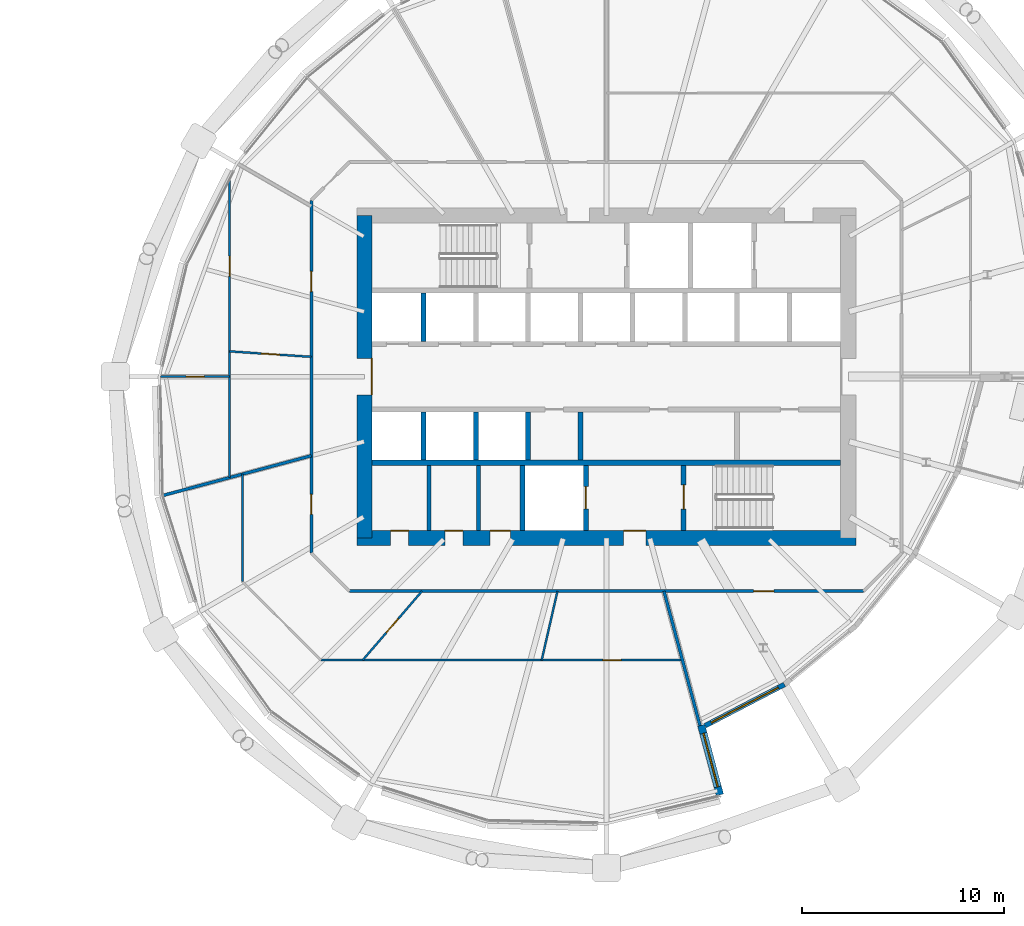
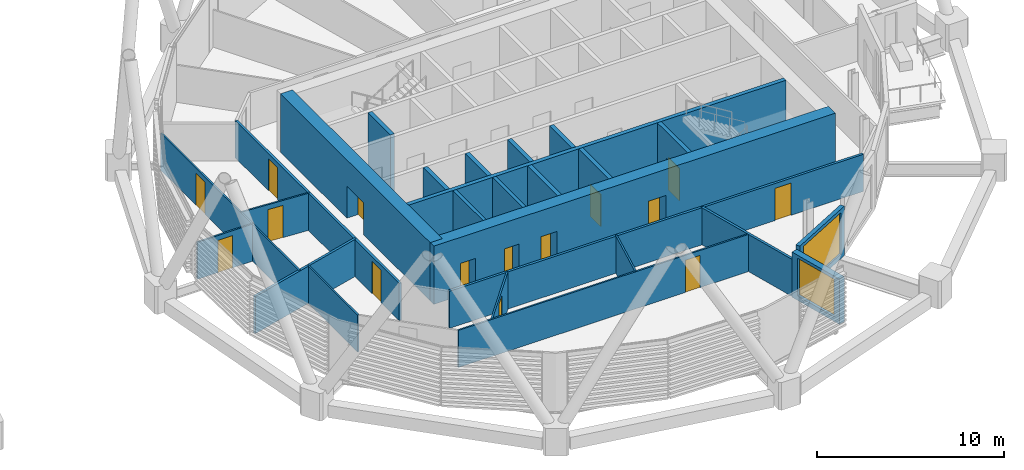
# One storey, part 26 of 38: 27 walls, 15 doors, 2 windows, 17 openings.
"""IFC4 building model written with IfcOpenShell, lengths in metres."""

from ifc_helpers import new_model, si_unit, direction, frame, frame_2d, origin, place, context, subcontext, project, spatial, rectangle, extrude, material, layer, layer_set, type_object, element, fill, save


model = new_model("IFC4")

# Units and contexts
model_context = context("Model", 3, precision=1e-05, world=origin(), true_north=direction((0.0, 1.0)))
body_context = subcontext(model_context, "Body", "Model", "MODEL_VIEW")
ifc_project = project(units=[si_unit("LENGTHUNIT", "METRE"), si_unit("AREAUNIT", "SQUARE_METRE"), si_unit("VOLUMEUNIT", "CUBIC_METRE"), si_unit("PLANEANGLEUNIT", "RADIAN"), si_unit("MASSUNIT", "GRAM", prefix="KILO")], contexts=[model_context])

# Site, building, storey
site_placement = place(None, origin())
site = spatial("IfcSite", under=ifc_project, at=site_placement, CompositionType="ELEMENT")
building_placement = place(site_placement, origin())
building = spatial("IfcBuilding", under=site, at=building_placement, Name="Rimbun Link Towers", CompositionType="ELEMENT")
storey_placement = place(building_placement, frame((0.0, 0.0, 93.0)))
storey = spatial("IfcBuildingStorey", under=building, at=storey_placement, Name="L22", CompositionType="ELEMENT", Elevation=93.0)

# Wall, opening, window
ifc_material_1 = material(Name="Dark enamelled glass spandrel on insulated aluminium backpan", Category="aluminium")
ifc_layer_1 = layer(ifc_material_1, 0.25)
ifc_layer_set_1 = layer_set([ifc_layer_1], Name="CS dark enamelled spandrel wall 250")
wall_type_1 = type_object("IfcWallType", Name="CS dark enamelled spandrel wall 250", PredefinedType="STANDARD", material=ifc_layer_set_1)
wall_1_placement = place(storey_placement, frame((40.57958984375, -15.278564453125, 0.0), z_axis=(0.0, 0.0, 1.0), x_axis=(-0.886942309025, -0.461880223069, 0.0)))
wall_1 = element("IfcWall", 1, at=wall_1_placement, inside=storey, type_object=wall_type_1, Name="Crease spandrel wall", PredefinedType="STANDARD", context=body_context, shape_type="SweptSolid", body=[
    extrude(rectangle(XDim=4.429443359375, YDim=0.25, at=frame_2d((2.21484375, 0.0))), origin(), (0.0, 0.0, 1.0), 3.2236328125),
])
opening_1_placement = place(wall_1_placement, frame((0.33984375, 0.0, 0.300048828125)))
opening_1 = element("IfcOpeningElement", 2, at=opening_1_placement, cuts=wall_1, Name="Opening WR38H270", PredefinedType="OPENING", context=body_context, shape_type="SweptSolid", body=[
    extrude(rectangle(XDim=3.75, YDim=2.699951171875, at=frame_2d((1.875, 1.35009765625))), frame((0.0, 0.135009765625, 0.0), z_axis=(0.0, -1.0, 0.0), x_axis=(1.0, 0.0, 0.0)), (0.0, 0.0, 1.0), 0.27001953125),
])
ifc_material_2 = material(Name="Aluminium framed fixed window, dark tinted low-e glass", Category="aluminium")
window_type_1 = type_object("IfcWindowType", Name="WR ribbon window 3750X2700", PartitioningType="SINGLE_PANEL", PredefinedType="WINDOW", material=ifc_material_2)
window_1_placement = place(opening_1_placement, origin())
window_1 = element("IfcWindow", 3, at=window_1_placement, inside=storey, type_object=window_type_1, Name="Crease ribbon window", OverallHeight=2.699951171875, OverallWidth=3.75, PartitioningType="SINGLE_PANEL", PredefinedType="WINDOW", context=body_context, shape_type="SweptSolid", body=[
    extrude(rectangle(XDim=3.75, YDim=2.699951171875, at=frame_2d((1.875, 1.35009765625))), frame((0.0, 0.030029296875, 0.0), z_axis=(0.0, -1.0, 0.0), x_axis=(1.0, 0.0, 0.0)), (0.0, 0.0, 1.0), 0.06005859375),
])
fill(opening_1, window_1)

ifc_material_3 = material(Name="Dark enamelled glass spandrel on insulated aluminium backpan", Category="aluminium")
ifc_layer_2 = layer(ifc_material_3, 0.3701171875)
ifc_layer_set_2 = layer_set([ifc_layer_2], Name="CS dark enamelled spandrel wall 370")
wall_type_2 = type_object("IfcWallType", Name="CS dark enamelled spandrel wall 370", PredefinedType="STANDARD", material=ifc_layer_set_2)
wall_2_placement = place(storey_placement, frame((36.453369140625, -17.30224609375, 0.0), z_axis=(0.0, 0.0, 1.0), x_axis=(0.258867887085, -0.965912737796, 0.0)))
wall_2 = element("IfcWall", 4, at=wall_2_placement, inside=storey, type_object=wall_type_2, Name="Crease spandrel wall", PredefinedType="STANDARD", context=body_context, shape_type="SweptSolid", body=[
    extrude(rectangle(XDim=3.580078125, YDim=0.3701171875, at=frame_2d((1.7900390625, 0.0))), origin(), (0.0, 0.0, 1.0), 2.9462890625),
])
opening_2_placement = place(wall_2_placement, frame((0.4150390625, 0.0, 0.300048828125)))
opening_2 = element("IfcOpeningElement", 5, at=opening_2_placement, cuts=wall_2, Name="Opening WR28H245", PredefinedType="OPENING", context=body_context, shape_type="SweptSolid", body=[
    extrude(rectangle(XDim=2.75, YDim=2.449951171875, at=frame_2d((1.375, 1.22509765625))), frame((0.0, 0.195068359375, 0.0), z_axis=(0.0, -1.0, 0.0), x_axis=(1.0, 0.0, 0.0)), (0.0, 0.0, 1.0), 0.39013671875),
])
ifc_material_4 = material(Name="Aluminium framed fixed window, dark tinted low-e glass", Category="aluminium")
window_type_2 = type_object("IfcWindowType", Name="WR ribbon window 2750X2450", PartitioningType="SINGLE_PANEL", PredefinedType="WINDOW", material=ifc_material_4)
window_2_placement = place(opening_2_placement, origin())
window_2 = element("IfcWindow", 6, at=window_2_placement, inside=storey, type_object=window_type_2, Name="Crease ribbon window", OverallHeight=2.449951171875, OverallWidth=2.75, PartitioningType="SINGLE_PANEL", PredefinedType="WINDOW", context=body_context, shape_type="SweptSolid", body=[
    extrude(rectangle(XDim=2.75, YDim=2.449951171875, at=frame_2d((1.375, 1.22509765625))), frame((0.0, 0.030029296875, 0.0), z_axis=(0.0, -1.0, 0.0), x_axis=(1.0, 0.0, 0.0)), (0.0, 0.0, 1.0), 0.06005859375),
])
fill(opening_2, window_2)

# Walls
ifc_material_5 = material(Name="Masonry blockwork", Category="masonry")
ifc_layer_3 = layer(ifc_material_5, 0.199951171875)
ifc_layer_set_3 = layer_set([ifc_layer_3], Name="Core partition 200")
wall_type_3 = type_object("IfcWallType", Name="Core partition 200", PredefinedType="PARTITIONING", material=ifc_layer_set_3)
for number, where, z_axis, x_axis, name in (
    (7, (22.949951171875, -4.39990234375, 0.0), (0.0, 0.0, 1.0), (0.0, -1.0, 0.0), "L22 T2 core wall C1"),
    (8, (25.39990234375, -4.39990234375, 0.0), (0.0, 0.0, 1.0), (0.0, -1.0, 0.0), "L22 T2 core wall C2"),
):
    element("IfcWall", number, at=place(storey_placement, frame(where, z_axis=z_axis, x_axis=x_axis)), inside=storey, type_object=wall_type_3, Name=name, PredefinedType="PARTITIONING", context=body_context, shape_type="SweptSolid", body=[
        extrude(rectangle(XDim=3.22509765625, YDim=0.199951171875, at=frame_2d((1.612548828125, 0.0))), origin(), (0.0, 0.0, 1.0), 3.800048828125),
    ])

# Wall, openings, doors
ifc_material_6 = material(Name="Concrete C60/75", Category="concrete")
ifc_layer_4 = layer(ifc_material_6, 0.75)
ifc_layer_set_4 = layer_set([ifc_layer_4], Name="Core shear wall 750")
wall_type_4 = type_object("IfcWallType", Name="Core shear wall 750", PredefinedType="SHEAR", material=ifc_layer_set_4)
wall_3_placement = place(storey_placement, frame((19.375, -8.0, 0.0), z_axis=(0.0, 0.0, 1.0), x_axis=(1.0, 0.0, 0.0)))
wall_3 = element("IfcWall", 9, at=wall_3_placement, inside=storey, type_object=wall_type_4, Name="L22 T2 core wall S", PredefinedType="SHEAR", context=body_context, shape_type="SweptSolid", body=[
    extrude(rectangle(XDim=24.75, YDim=0.75, at=frame_2d((12.375, 0.0))), origin(), (0.0, 0.0, 1.0), 3.800048828125),
])
opening_3_placement = place(wall_3_placement, frame((13.22509765625, 0.0, 0.0)))
opening_3 = element("IfcOpeningElement", 10, at=opening_3_placement, cuts=wall_3, Name="Opening C2DCF01S", PredefinedType="OPENING", context=body_context, shape_type="SweptSolid", body=[
    extrude(rectangle(XDim=1.10009765625, YDim=2.10009765625, at=frame_2d((0.550048828125, 1.050048828125))), frame((0.0, 0.385009765625, 0.0), z_axis=(0.0, -1.0, 0.0), x_axis=(1.0, 0.0, 0.0)), (0.0, 0.0, 1.0), 0.77001953125),
])
opening_4_placement = place(wall_3_placement, frame((1.66259765625, 0.0, 0.0)))
opening_4 = element("IfcOpeningElement", 11, at=opening_4_placement, cuts=wall_3, Name="Opening C2DWC02S", PredefinedType="OPENING", context=body_context, shape_type="SweptSolid", body=[
    extrude(rectangle(XDim=0.89990234375, YDim=2.10009765625, at=frame_2d((0.449951171875, 1.050048828125))), frame((0.0, 0.385009765625, 0.0), z_axis=(0.0, -1.0, 0.0), x_axis=(1.0, 0.0, 0.0)), (0.0, 0.0, 1.0), 0.77001953125),
])
opening_5_placement = place(wall_3_placement, frame((4.35009765625, 0.0, 0.0)))
opening_5 = element("IfcOpeningElement", 12, at=opening_5_placement, cuts=wall_3, Name="Opening C2DWC03S", PredefinedType="OPENING", context=body_context, shape_type="SweptSolid", body=[
    extrude(rectangle(XDim=0.89990234375, YDim=2.10009765625, at=frame_2d((0.449951171875, 1.050048828125))), frame((0.0, 0.385009765625, 0.0), z_axis=(0.0, -1.0, 0.0), x_axis=(1.0, 0.0, 0.0)), (0.0, 0.0, 1.0), 0.77001953125),
])
opening_6_placement = place(wall_3_placement, frame((6.60009765625, 0.0, 0.0)))
opening_6 = element("IfcOpeningElement", 13, at=opening_6_placement, cuts=wall_3, Name="Opening C2DAW04S", PredefinedType="OPENING", context=body_context, shape_type="SweptSolid", body=[
    extrude(rectangle(XDim=1.0, YDim=2.10009765625, at=frame_2d((0.5, 1.050048828125))), frame((0.0, 0.385009765625, 0.0), z_axis=(0.0, -1.0, 0.0), x_axis=(1.0, 0.0, 0.0)), (0.0, 0.0, 1.0), 0.77001953125),
])
ifc_material_7 = material(Name="Timber", Category="wood")
door_type_1 = type_object("IfcDoorType", Name="Accessible WC door", OperationType="SINGLE_SWING_LEFT", PredefinedType="DOOR", material=ifc_material_7)
door_1_placement = place(opening_6_placement, origin())
door_1 = element("IfcDoor", 14, at=door_1_placement, inside=storey, type_object=door_type_1, Name="L22 T2 accessible wc door", OperationType="SINGLE_SWING_RIGHT", OverallHeight=2.10009765625, OverallWidth=1.0, PredefinedType="DOOR", context=body_context, shape_type="SweptSolid", body=[
    extrude(rectangle(XDim=1.0, YDim=2.10009765625, at=frame_2d((0.5, 1.050048828125))), frame((0.0, 0.375, 0.0), z_axis=(0.0, -1.0, 0.0), x_axis=(1.0, 0.0, 0.0)), (0.0, 0.0, 1.0), 0.050048828125),
])
fill(opening_6, door_1)
ifc_material_8 = material(Name="Steel fire door set", Category="steel")
door_type_2 = type_object("IfcDoorType", Name="Core fire door single", OperationType="SINGLE_SWING_LEFT", PredefinedType="DOOR", material=ifc_material_8)
door_2_placement = place(opening_3_placement, origin())
door_2 = element("IfcDoor", 15, at=door_2_placement, inside=storey, type_object=door_type_2, Name="L22 T2 firefighting lobby s door", OperationType="SINGLE_SWING_RIGHT", OverallHeight=2.10009765625, OverallWidth=1.10009765625, PredefinedType="DOOR", context=body_context, shape_type="SweptSolid", body=[
    extrude(rectangle(XDim=1.10009765625, YDim=2.10009765625, at=frame_2d((0.550048828125, 1.050048828125))), frame((0.0, 0.375, 0.0), z_axis=(0.0, -1.0, 0.0), x_axis=(1.0, 0.0, 0.0)), (0.0, 0.0, 1.0), 0.050048828125),
])
fill(opening_3, door_2)
ifc_material_9 = material(Name="Timber", Category="wood")
door_type_3 = type_object("IfcDoorType", Name="WC door", OperationType="SINGLE_SWING_LEFT", PredefinedType="DOOR", material=ifc_material_9)
door_3_placement = place(opening_4_placement, origin())
door_3 = element("IfcDoor", 16, at=door_3_placement, inside=storey, type_object=door_type_3, Name="L22 T2 male wc door", OperationType="SINGLE_SWING_LEFT", OverallHeight=2.10009765625, OverallWidth=0.89990234375, PredefinedType="DOOR", context=body_context, shape_type="SweptSolid", body=[
    extrude(rectangle(XDim=0.89990234375, YDim=2.10009765625, at=frame_2d((0.449951171875, 1.050048828125))), frame((0.0, 0.375, 0.0), z_axis=(0.0, -1.0, 0.0), x_axis=(1.0, 0.0, 0.0)), (0.0, 0.0, 1.0), 0.050048828125),
])
fill(opening_4, door_3)
door_4_placement = place(opening_5_placement, origin())
door_4 = element("IfcDoor", 17, at=door_4_placement, inside=storey, type_object=door_type_3, Name="L22 T2 female wc door", OperationType="SINGLE_SWING_RIGHT", OverallHeight=2.10009765625, OverallWidth=0.89990234375, PredefinedType="DOOR", context=body_context, shape_type="SweptSolid", body=[
    extrude(rectangle(XDim=0.89990234375, YDim=2.10009765625, at=frame_2d((0.449951171875, 1.050048828125))), frame((0.0, 0.375, 0.0), z_axis=(0.0, -1.0, 0.0), x_axis=(1.0, 0.0, 0.0)), (0.0, 0.0, 1.0), 0.050048828125),
])
fill(opening_5, door_4)

# Wall, opening, door
wall_4_placement = place(storey_placement, frame((19.75, -8.0, 0.0), z_axis=(0.0, 0.0, 1.0), x_axis=(0.0, 1.0, 0.0)))
wall_4 = element("IfcWall", 18, at=wall_4_placement, inside=storey, type_object=wall_type_4, Name="L22 T2 core wall W", PredefinedType="SHEAR", context=body_context, shape_type="SweptSolid", body=[
    extrude(rectangle(XDim=16.0, YDim=0.75, at=frame_2d((8.0, 0.0))), origin(), (0.0, 0.0, 1.0), 3.800048828125),
])
opening_7_placement = place(wall_4_placement, frame((7.10009765625, 0.0, 0.0)))
opening_7 = element("IfcOpeningElement", 19, at=opening_7_placement, cuts=wall_4, Name="Opening C2DCL01W", PredefinedType="OPENING", context=body_context, shape_type="SweptSolid", body=[
    extrude(rectangle(XDim=1.800048828125, YDim=2.10009765625, at=frame_2d((0.89990234375, 1.050048828125))), frame((0.0, 0.385009765625, 0.0), z_axis=(0.0, -1.0, 0.0), x_axis=(1.0, 0.0, 0.0)), (0.0, 0.0, 1.0), 0.77001953125),
])
ifc_material_10 = material(Name="Steel fire door set", Category="steel")
door_type_4 = type_object("IfcDoorType", Name="Core lobby door double", OperationType="DOUBLE_DOOR_SINGLE_SWING", PredefinedType="DOOR", material=ifc_material_10)
door_5_placement = place(opening_7_placement, origin())
door_5 = element("IfcDoor", 20, at=door_5_placement, inside=storey, type_object=door_type_4, Name="L22 T2 lift lobby door", OperationType="DOUBLE_DOOR_SINGLE_SWING", OverallHeight=2.10009765625, OverallWidth=1.800048828125, PredefinedType="DOOR", context=body_context, shape_type="SweptSolid", body=[
    extrude(rectangle(XDim=1.800048828125, YDim=2.10009765625, at=frame_2d((0.89990234375, 1.050048828125))), frame((0.0, -0.3251953125, 0.0), z_axis=(0.0, -1.0, 0.0), x_axis=(1.0, 0.0, 0.0)), (0.0, 0.0, 1.0), 0.050048828125),
])
fill(opening_7, door_5)

ifc_material_11 = material(Name="Plasterboard on steel stud, mineral wool", Category="steel")
ifc_layer_5 = layer(ifc_material_11, 0.14990234375)
ifc_layer_set_5 = layer_set([ifc_layer_5], Name="Corridor wall EI 30 150 mm")
wall_type_5 = type_object("IfcWallType", Name="Corridor wall EI 30 150 mm", PredefinedType="PARTITIONING", material=ifc_layer_set_5)
wall_5_placement = place(storey_placement, frame((44.501708984375, -10.64990234375, 0.0), z_axis=(0.0, 0.0, 1.0), x_axis=(-1.0, 0.0, 0.0)))
wall_5 = element("IfcWall", 21, at=wall_5_placement, inside=storey, type_object=wall_type_5, Name="Corridor wall EI 30 150 mm", PredefinedType="PARTITIONING", context=body_context, shape_type="SweptSolid", body=[
    extrude(rectangle(XDim=25.50341796875, YDim=0.14990234375, at=frame_2d((12.751708984375, 0.0))), origin(), (0.0, 0.0, 1.0), 2.419921875),
])
opening_8_placement = place(wall_5_placement, frame((4.448974609375, 0.0, 0.0)))
opening_8 = element("IfcOpeningElement", 22, at=opening_8_placement, cuts=wall_5, Name="Opening D01", PredefinedType="OPENING", context=body_context, shape_type="SweptSolid", body=[
    extrude(rectangle(XDim=1.0, YDim=2.10009765625, at=frame_2d((0.5, 1.050048828125))), frame((0.0, 0.0849609375, 0.0), z_axis=(0.0, -1.0, 0.0), x_axis=(1.0, 0.0, 0.0)), (0.0, 0.0, 1.0), 0.169921875),
])
ifc_material_12 = material(Name="Fire-resisting timber door leaf", Category="wood")
door_type_5 = type_object("IfcDoorType", Name="Fire door FD30S 1000", OperationType="NOTDEFINED", PredefinedType="DOOR", material=ifc_material_12)
door_6_placement = place(opening_8_placement, origin())
door_6 = element("IfcDoor", 23, at=door_6_placement, inside=storey, type_object=door_type_5, Name="Fire door FD30S 1000 to Terrace office", OperationType="SINGLE_SWING_RIGHT", OverallHeight=2.10009765625, OverallWidth=1.0, PredefinedType="DOOR", context=body_context, shape_type="SweptSolid", body=[
    extrude(rectangle(XDim=1.0, YDim=2.10009765625, at=frame_2d((0.5, 1.050048828125))), frame((0.0, 0.02490234375, 0.0), z_axis=(0.0, -1.0, 0.0), x_axis=(1.0, 0.0, 0.0)), (0.0, 0.0, 1.0), 0.050048828125),
])
fill(opening_8, door_6)

# Wall, openings, doors
wall_6_placement = place(storey_placement, frame((17.10009765625, -8.751708984375, 0.0), z_axis=(0.0, 0.0, 1.0), x_axis=(0.0, 1.0, 0.0)))
wall_6 = element("IfcWall", 24, at=wall_6_placement, inside=storey, type_object=wall_type_5, Name="Corridor wall EI 30 150 mm", PredefinedType="PARTITIONING", context=body_context, shape_type="SweptSolid", body=[
    extrude(rectangle(XDim=17.50341796875, YDim=0.14990234375, at=frame_2d((8.751708984375, 0.0))), origin(), (0.0, 0.0, 1.0), 2.419921875),
])
opening_9_placement = place(wall_6_placement, frame((12.971435546875, 0.0, 0.0)))
opening_9 = element("IfcOpeningElement", 25, at=opening_9_placement, cuts=wall_6, Name="Opening D01", PredefinedType="OPENING", context=body_context, shape_type="SweptSolid", body=[
    extrude(rectangle(XDim=1.0, YDim=2.10009765625, at=frame_2d((0.5, 1.050048828125))), frame((0.0, 0.0849609375, 0.0), z_axis=(0.0, -1.0, 0.0), x_axis=(1.0, 0.0, 0.0)), (0.0, 0.0, 1.0), 0.169921875),
])
opening_10_placement = place(wall_6_placement, frame((1.9130859375, 0.0, 0.0)))
opening_10 = element("IfcOpeningElement", 26, at=opening_10_placement, cuts=wall_6, Name="Opening D01", PredefinedType="OPENING", context=body_context, shape_type="SweptSolid", body=[
    extrude(rectangle(XDim=1.0, YDim=2.10009765625, at=frame_2d((0.5, 1.050048828125))), frame((0.0, 0.0849609375, 0.0), z_axis=(0.0, -1.0, 0.0), x_axis=(1.0, 0.0, 0.0)), (0.0, 0.0, 1.0), 0.169921875),
])
door_7_placement = place(opening_9_placement, origin())
door_7 = element("IfcDoor", 27, at=door_7_placement, inside=storey, type_object=door_type_5, Name="Fire door FD30S 1000 to Reception", OperationType="SINGLE_SWING_RIGHT", OverallHeight=2.10009765625, OverallWidth=1.0, PredefinedType="DOOR", context=body_context, shape_type="SweptSolid", body=[
    extrude(rectangle(XDim=1.0, YDim=2.10009765625, at=frame_2d((0.5, 1.050048828125))), frame((0.0, 0.02490234375, 0.0), z_axis=(0.0, -1.0, 0.0), x_axis=(1.0, 0.0, 0.0)), (0.0, 0.0, 1.0), 0.050048828125),
])
fill(opening_9, door_7)
door_8_placement = place(opening_10_placement, origin())
door_8 = element("IfcDoor", 28, at=door_8_placement, inside=storey, type_object=door_type_5, Name="Fire door FD30S 1000 to Reception", OperationType="SINGLE_SWING_LEFT", OverallHeight=2.10009765625, OverallWidth=1.0, PredefinedType="DOOR", context=body_context, shape_type="SweptSolid", body=[
    extrude(rectangle(XDim=1.0, YDim=2.10009765625, at=frame_2d((0.5, 1.050048828125))), frame((0.0, 0.02490234375, 0.0), z_axis=(0.0, -1.0, 0.0), x_axis=(1.0, 0.0, 0.0)), (0.0, 0.0, 1.0), 0.050048828125),
])
fill(opening_10, door_8)

# Wall, opening, door
ifc_material_13 = material(Name="Plasterboard on steel stud", Category="steel")
ifc_layer_6 = layer(ifc_material_13, 0.10009765625)
ifc_layer_set_6 = layer_set([ifc_layer_6], Name="Plasterboard partition 100 mm")
wall_type_6 = type_object("IfcWallType", Name="Plasterboard partition 100 mm", PredefinedType="PARTITIONING", material=ifc_layer_set_6)
wall_7_placement = place(storey_placement, frame((17.10009765625, 0.981201171875, 0.0), z_axis=(0.0, 0.0, 1.0), x_axis=(-0.997764885584, 0.066822399655, 0.0)))
wall_7 = element("IfcWall", 29, at=wall_7_placement, inside=storey, type_object=wall_type_6, Name="Plasterboard partition 100 mm", PredefinedType="PARTITIONING", context=body_context, shape_type="SweptSolid", body=[
    extrude(rectangle(XDim=4.05908203125, YDim=0.10009765625, at=frame_2d((2.029541015625, 0.0))), origin(), (0.0, 0.0, 1.0), 2.419921875),
])
opening_11_placement = place(wall_7_placement, frame((1.57958984375, 0.0, 0.0)))
opening_11 = element("IfcOpeningElement", 30, at=opening_11_placement, cuts=wall_7, Name="Opening D04", PredefinedType="OPENING", context=body_context, shape_type="SweptSolid", body=[
    extrude(rectangle(XDim=0.89990234375, YDim=2.10009765625, at=frame_2d((0.449951171875, 1.050048828125))), frame((0.0, 0.06005859375, 0.0), z_axis=(0.0, -1.0, 0.0), x_axis=(1.0, 0.0, 0.0)), (0.0, 0.0, 1.0), 0.1201171875),
])
ifc_material_14 = material(Name="Timber door leaf", Category="wood")
door_type_6 = type_object("IfcDoorType", Name="Flush door 900", OperationType="NOTDEFINED", PredefinedType="DOOR", material=ifc_material_14)
door_9_placement = place(opening_11_placement, origin())
door_9 = element("IfcDoor", 31, at=door_9_placement, inside=storey, type_object=door_type_6, Name="Flush door 900 to Pantry", OperationType="SINGLE_SWING_LEFT", OverallHeight=2.10009765625, OverallWidth=0.89990234375, PredefinedType="DOOR", context=body_context, shape_type="SweptSolid", body=[
    extrude(rectangle(XDim=0.89990234375, YDim=2.10009765625, at=frame_2d((0.449951171875, 1.050048828125))), frame((0.0, 0.02490234375, 0.0), z_axis=(0.0, -1.0, 0.0), x_axis=(1.0, 0.0, 0.0)), (0.0, 0.0, 1.0), 0.050048828125),
])
fill(opening_11, door_9)

wall_8_placement = place(storey_placement, frame((13.050048828125, 0.0, 0.0), z_axis=(0.0, 0.0, 1.0), x_axis=(0.0, 1.0, 0.0)))
wall_8 = element("IfcWall", 32, at=wall_8_placement, inside=storey, type_object=wall_type_6, Name="Plasterboard partition 100 mm", PredefinedType="PARTITIONING", context=body_context, shape_type="SweptSolid", body=[
    extrude(rectangle(XDim=9.74658203125, YDim=0.10009765625, at=frame_2d((4.873291015625, 0.0))), origin(), (0.0, 0.0, 1.0), 2.419921875),
])
opening_12_placement = place(wall_8_placement, frame((4.984619140625, 0.0, 0.0)))
opening_12 = element("IfcOpeningElement", 33, at=opening_12_placement, cuts=wall_8, Name="Opening D03", PredefinedType="OPENING", context=body_context, shape_type="SweptSolid", body=[
    extrude(rectangle(XDim=1.0, YDim=2.10009765625, at=frame_2d((0.5, 1.050048828125))), frame((0.0, 0.06005859375, 0.0), z_axis=(0.0, -1.0, 0.0), x_axis=(1.0, 0.0, 0.0)), (0.0, 0.0, 1.0), 0.1201171875),
])
ifc_material_15 = material(Name="Timber door leaf", Category="wood")
door_type_7 = type_object("IfcDoorType", Name="Flush door 1000", OperationType="NOTDEFINED", PredefinedType="DOOR", material=ifc_material_15)
door_10_placement = place(opening_12_placement, origin())
door_10 = element("IfcDoor", 34, at=door_10_placement, inside=storey, type_object=door_type_7, Name="Flush door 1000 to Boardroom", OperationType="SINGLE_SWING_RIGHT", OverallHeight=2.10009765625, OverallWidth=1.0, PredefinedType="DOOR", context=body_context, shape_type="SweptSolid", body=[
    extrude(rectangle(XDim=1.0, YDim=2.10009765625, at=frame_2d((0.5, 1.050048828125))), frame((0.0, 0.02490234375, 0.0), z_axis=(0.0, -1.0, 0.0), x_axis=(1.0, 0.0, 0.0)), (0.0, 0.0, 1.0), 0.050048828125),
])
fill(opening_12, door_10)

# Wall
wall_9_placement = place(storey_placement, frame((13.050048828125, 0.0, 0.0), z_axis=(0.0, 0.0, 1.0), x_axis=(0.0, -1.0, 0.0)))
element("IfcWall", 35, at=wall_9_placement, inside=storey, type_object=wall_type_6, Name="Plasterboard partition 100 mm", PredefinedType="PARTITIONING", context=body_context, shape_type="SweptSolid", body=[
    extrude(rectangle(XDim=5.0107421875, YDim=0.10009765625, at=frame_2d((2.50537109375, 0.0))), origin(), (0.0, 0.0, 1.0), 2.419921875),
])

# Wall, opening, door
wall_10_placement = place(storey_placement, frame((13.050048828125, 0.0, 0.0), z_axis=(0.0, 0.0, 1.0), x_axis=(-1.0, 0.0, 0.0)))
wall_10 = element("IfcWall", 36, at=wall_10_placement, inside=storey, type_object=wall_type_6, Name="Plasterboard partition 100 mm", PredefinedType="PARTITIONING", context=body_context, shape_type="SweptSolid", body=[
    extrude(rectangle(XDim=3.428955078125, YDim=0.10009765625, at=frame_2d((1.71435546875, 0.0))), origin(), (0.0, 0.0, 1.0), 2.419921875),
])
opening_13_placement = place(wall_10_placement, frame((1.264404296875, 0.0, 0.0)))
opening_13 = element("IfcOpeningElement", 37, at=opening_13_placement, cuts=wall_10, Name="Opening D04", PredefinedType="OPENING", context=body_context, shape_type="SweptSolid", body=[
    extrude(rectangle(XDim=0.89990234375, YDim=2.10009765625, at=frame_2d((0.449951171875, 1.050048828125))), frame((0.0, 0.06005859375, 0.0), z_axis=(0.0, -1.0, 0.0), x_axis=(1.0, 0.0, 0.0)), (0.0, 0.0, 1.0), 0.1201171875),
])
door_11_placement = place(opening_13_placement, origin())
door_11 = element("IfcDoor", 38, at=door_11_placement, inside=storey, type_object=door_type_6, Name="Flush door 900 to Meeting room", OperationType="SINGLE_SWING_LEFT", OverallHeight=2.10009765625, OverallWidth=0.89990234375, PredefinedType="DOOR", context=body_context, shape_type="SweptSolid", body=[
    extrude(rectangle(XDim=0.89990234375, YDim=2.10009765625, at=frame_2d((0.449951171875, 1.050048828125))), frame((0.0, 0.02490234375, 0.0), z_axis=(0.0, -1.0, 0.0), x_axis=(1.0, 0.0, 0.0)), (0.0, 0.0, 1.0), 0.050048828125),
])
fill(opening_13, door_11)

wall_11_placement = place(storey_placement, frame((22.593017578125, -10.64990234375, 0.0), z_axis=(0.0, 0.0, 1.0), x_axis=(-0.651922889365, -0.758285267114, 0.0)))
wall_11 = element("IfcWall", 39, at=wall_11_placement, inside=storey, type_object=wall_type_6, Name="Plasterboard partition 100 mm", PredefinedType="PARTITIONING", context=body_context, shape_type="SweptSolid", body=[
    extrude(rectangle(XDim=4.510498046875, YDim=0.10009765625, at=frame_2d((2.25537109375, 0.0))), origin(), (0.0, 0.0, 1.0), 2.419921875),
])
opening_14_placement = place(wall_11_placement, frame((1.80517578125, 0.0, 0.0)))
opening_14 = element("IfcOpeningElement", 40, at=opening_14_placement, cuts=wall_11, Name="Opening D04", PredefinedType="OPENING", context=body_context, shape_type="SweptSolid", body=[
    extrude(rectangle(XDim=0.89990234375, YDim=2.10009765625, at=frame_2d((0.449951171875, 1.050048828125))), frame((0.0, 0.06005859375, 0.0), z_axis=(0.0, -1.0, 0.0), x_axis=(1.0, 0.0, 0.0)), (0.0, 0.0, 1.0), 0.1201171875),
])
door_12_placement = place(opening_14_placement, origin())
door_12 = element("IfcDoor", 41, at=door_12_placement, inside=storey, type_object=door_type_6, Name="Flush door 900 to Meeting room", OperationType="SINGLE_SWING_RIGHT", OverallHeight=2.10009765625, OverallWidth=0.89990234375, PredefinedType="DOOR", context=body_context, shape_type="SweptSolid", body=[
    extrude(rectangle(XDim=0.89990234375, YDim=2.10009765625, at=frame_2d((0.449951171875, 1.050048828125))), frame((0.0, 0.02490234375, 0.0), z_axis=(0.0, -1.0, 0.0), x_axis=(1.0, 0.0, 0.0)), (0.0, 0.0, 1.0), 0.050048828125),
])
fill(opening_14, door_12)

# Wall
wall_12_placement = place(storey_placement, frame((13.679931640625, -4.841796875, 0.0), z_axis=(0.0, 0.0, 1.0), x_axis=(0.0, -1.0, 0.0)))
element("IfcWall", 42, at=wall_12_placement, inside=storey, type_object=wall_type_6, Name="Plasterboard partition 100 mm", PredefinedType="PARTITIONING", context=body_context, shape_type="SweptSolid", body=[
    extrude(rectangle(XDim=5.326416015625, YDim=0.10009765625, at=frame_2d((2.6630859375, 0.0))), origin(), (0.0, 0.0, 1.0), 2.419921875),
])

# Wall, opening, door
wall_13_placement = place(storey_placement, frame((17.581787109375, -14.070068359375, 0.0), z_axis=(0.0, 0.0, 1.0), x_axis=(1.0, 0.0, 0.0)))
wall_13 = element("IfcWall", 43, at=wall_13_placement, inside=storey, type_object=wall_type_6, Name="Plasterboard partition 100 mm", PredefinedType="PARTITIONING", context=body_context, shape_type="SweptSolid", body=[
    extrude(rectangle(XDim=17.938232421875, YDim=0.10009765625, at=frame_2d((8.96923828125, 0.0))), origin(), (0.0, 0.0, 1.0), 2.419921875),
])
opening_15_placement = place(wall_13_placement, frame((13.99560546875, 0.0, 0.0)))
opening_15 = element("IfcOpeningElement", 44, at=opening_15_placement, cuts=wall_13, Name="Opening D04", PredefinedType="OPENING", context=body_context, shape_type="SweptSolid", body=[
    extrude(rectangle(XDim=0.89990234375, YDim=2.10009765625, at=frame_2d((0.449951171875, 1.050048828125))), frame((0.0, 0.06005859375, 0.0), z_axis=(0.0, -1.0, 0.0), x_axis=(1.0, 0.0, 0.0)), (0.0, 0.0, 1.0), 0.1201171875),
])
door_13_placement = place(opening_15_placement, origin())
door_13 = element("IfcDoor", 45, at=door_13_placement, inside=storey, type_object=door_type_6, Name="Flush door 900 to Print room", OperationType="SINGLE_SWING_LEFT", OverallHeight=2.10009765625, OverallWidth=0.89990234375, PredefinedType="DOOR", context=body_context, shape_type="SweptSolid", body=[
    extrude(rectangle(XDim=0.89990234375, YDim=2.10009765625, at=frame_2d((0.449951171875, 1.050048828125))), frame((0.0, 0.02490234375, 0.0), z_axis=(0.0, -1.0, 0.0), x_axis=(1.0, 0.0, 0.0)), (0.0, 0.0, 1.0), 0.050048828125),
])
fill(opening_15, door_13)

# Walls
wall_14_placement = place(storey_placement, frame((28.53466796875, -14.070068359375, 0.0), z_axis=(0.0, 0.0, 1.0), x_axis=(0.222821022474, 0.974859370342, 0.0)))
element("IfcWall", 46, at=wall_14_placement, inside=storey, type_object=wall_type_6, Name="Plasterboard partition 100 mm", PredefinedType="PARTITIONING", context=body_context, shape_type="SweptSolid", body=[
    extrude(rectangle(XDim=3.50830078125, YDim=0.10009765625, at=frame_2d((1.754150390625, 0.0))), origin(), (0.0, 0.0, 1.0), 2.419921875),
])
ifc_material_16 = material(Name="Concrete C60/75", Category="concrete")
ifc_layer_7 = layer(ifc_material_16, 0.25)
ifc_layer_set_7 = layer_set([ifc_layer_7], Name="Shaft wall 250")
wall_type_7 = type_object("IfcWallType", Name="Shaft wall 250", PredefinedType="SHEAR", material=ifc_layer_set_7)
wall_15_placement = place(storey_placement, frame((20.125, -4.27490234375, 0.0), z_axis=(0.0, 0.0, 1.0), x_axis=(1.0, 0.0, 0.0)))
element("IfcWall", 47, at=wall_15_placement, inside=storey, type_object=wall_type_7, Name="L22 T2 core wall BS", PredefinedType="SHEAR", context=body_context, shape_type="SweptSolid", body=[
    extrude(rectangle(XDim=23.25, YDim=0.25, at=frame_2d((11.625, 0.0))), origin(), (0.0, 0.0, 1.0), 3.800048828125),
])
for number, where, z_axis, x_axis, name in (
    (48, (22.66943359375, 1.75, 0.0), (0.0, 0.0, 1.0), (0.0, 1.0, 0.0), "L22 T2 core wall DN0"),
    (49, (22.66943359375, -4.14990234375, 0.0), (0.0, 0.0, 1.0), (0.0, 1.0, 0.0), "L22 T2 core wall DS0"),
    (50, (25.263916015625, -4.14990234375, 0.0), (0.0, 0.0, 1.0), (0.0, 1.0, 0.0), "L22 T2 core wall DS1"),
    (51, (27.8583984375, -4.14990234375, 0.0), (0.0, 0.0, 1.0), (0.0, 1.0, 0.0), "L22 T2 core wall DS2"),
    (52, (30.452880859375, -4.14990234375, 0.0), (0.0, 0.0, 1.0), (0.0, 1.0, 0.0), "L22 T2 core wall DS3"),
):
    element("IfcWall", number, at=place(storey_placement, frame(where, z_axis=z_axis, x_axis=x_axis)), inside=storey, type_object=wall_type_7, Name=name, PredefinedType="SHEAR", context=body_context, shape_type="SweptSolid", body=[
        extrude(rectangle(XDim=2.39990234375, YDim=0.25, at=frame_2d((1.199951171875, 0.0))), origin(), (0.0, 0.0, 1.0), 3.800048828125),
    ])

# Wall, opening, door
wall_16_placement = place(storey_placement, frame((35.574951171875, -4.39990234375, 0.0), z_axis=(0.0, 0.0, 1.0), x_axis=(0.0, -1.0, 0.0)))
wall_16 = element("IfcWall", 53, at=wall_16_placement, inside=storey, type_object=wall_type_7, Name="L22 T2 core wall B1", PredefinedType="SHEAR", context=body_context, shape_type="SweptSolid", body=[
    extrude(rectangle(XDim=3.22509765625, YDim=0.25, at=frame_2d((1.612548828125, 0.0))), origin(), (0.0, 0.0, 1.0), 3.800048828125),
])
opening_16_placement = place(wall_16_placement, frame((0.97509765625, 0.0, 0.0)))
opening_16 = element("IfcOpeningElement", 54, at=opening_16_placement, cuts=wall_16, Name="Opening C2DST01B1", PredefinedType="OPENING", context=body_context, shape_type="SweptSolid", body=[
    extrude(rectangle(XDim=1.199951171875, YDim=2.10009765625, at=frame_2d((0.60009765625, 1.050048828125))), frame((0.0, 0.135009765625, 0.0), z_axis=(0.0, -1.0, 0.0), x_axis=(1.0, 0.0, 0.0)), (0.0, 0.0, 1.0), 0.27001953125),
])
ifc_material_17 = material(Name="Steel fire door set", Category="steel")
door_type_8 = type_object("IfcDoorType", Name="Stair door", OperationType="SINGLE_SWING_LEFT", PredefinedType="DOOR", material=ifc_material_17)
door_14_placement = place(opening_16_placement, origin())
door_14 = element("IfcDoor", 55, at=door_14_placement, inside=storey, type_object=door_type_8, Name="L22 T2 stair b door", OperationType="SINGLE_SWING_RIGHT", OverallHeight=2.10009765625, OverallWidth=1.199951171875, PredefinedType="DOOR", context=body_context, shape_type="SweptSolid", body=[
    extrude(rectangle(XDim=1.199951171875, YDim=2.10009765625, at=frame_2d((0.60009765625, 1.050048828125))), frame((0.0, 0.02490234375, 0.0), z_axis=(0.0, -1.0, 0.0), x_axis=(1.0, 0.0, 0.0)), (0.0, 0.0, 1.0), 0.050048828125),
])
fill(opening_16, door_14)

wall_17_placement = place(storey_placement, frame((30.72509765625, -4.39990234375, 0.0), z_axis=(0.0, 0.0, 1.0), x_axis=(0.0, -1.0, 0.0)))
wall_17 = element("IfcWall", 56, at=wall_17_placement, inside=storey, type_object=wall_type_7, Name="L22 T2 core wall B2", PredefinedType="SHEAR", context=body_context, shape_type="SweptSolid", body=[
    extrude(rectangle(XDim=3.22509765625, YDim=0.25, at=frame_2d((1.612548828125, 0.0))), origin(), (0.0, 0.0, 1.0), 3.800048828125),
])
opening_17_placement = place(wall_17_placement, frame((1.0625, 0.0, 0.0)))
opening_17 = element("IfcOpeningElement", 57, at=opening_17_placement, cuts=wall_17, Name="Opening LD-T2-FF2", PredefinedType="OPENING", context=body_context, shape_type="SweptSolid", body=[
    extrude(rectangle(XDim=1.10009765625, YDim=2.10009765625, at=frame_2d((0.550048828125, 1.050048828125))), frame((0.0, 0.135009765625, 0.0), z_axis=(0.0, -1.0, 0.0), x_axis=(1.0, 0.0, 0.0)), (0.0, 0.0, 1.0), 0.27001953125),
])
ifc_material_18 = material(Name="Stainless steel grade 316", Category="steel")
door_type_9 = type_object("IfcDoorType", Name="Lift landing door", OperationType="DOUBLE_DOOR_SLIDING", PredefinedType="DOOR", material=ifc_material_18)
door_15_placement = place(opening_17_placement, origin())
door_15 = element("IfcDoor", 58, at=door_15_placement, inside=storey, type_object=door_type_9, Name="L22 T2 lift FF2 landing door", OperationType="DOUBLE_DOOR_SLIDING", OverallHeight=2.10009765625, OverallWidth=1.10009765625, PredefinedType="DOOR", context=body_context, shape_type="SweptSolid", body=[
    extrude(rectangle(XDim=1.10009765625, YDim=2.10009765625, at=frame_2d((0.550048828125, 1.050048828125))), frame((0.0, 0.02490234375, 0.0), z_axis=(0.0, -1.0, 0.0), x_axis=(1.0, 0.0, 0.0)), (0.0, 0.0, 1.0), 0.050048828125),
])
fill(opening_17, door_15)

# Walls
wall_18_placement = place(storey_placement, frame((27.574951171875, -4.39990234375, 0.0), z_axis=(0.0, 0.0, 1.0), x_axis=(0.0, -1.0, 0.0)))
element("IfcWall", 59, at=wall_18_placement, inside=storey, type_object=wall_type_7, Name="L22 T2 core wall B3", PredefinedType="SHEAR", context=body_context, shape_type="SweptSolid", body=[
    extrude(rectangle(XDim=3.22509765625, YDim=0.25, at=frame_2d((1.612548828125, 0.0))), origin(), (0.0, 0.0, 1.0), 3.800048828125),
])
ifc_material_19 = material(Name="Plasterboard on steel stud, mineral wool", Category="steel")
ifc_layer_8 = layer(ifc_material_19, 0.14990234375)
ifc_layer_set_8 = layer_set([ifc_layer_8], Name="Tenancy separation wall EI 60 150 mm")
wall_type_8 = type_object("IfcWallType", Name="Tenancy separation wall EI 60 150 mm", PredefinedType="PARTITIONING", material=ifc_layer_set_8)
wall_19_placement = place(storey_placement, frame((17.10009765625, -3.925537109375, 0.0), z_axis=(0.0, 0.0, 1.0), x_axis=(-0.965927728967, -0.258811944109, 0.0)))
element("IfcWall", 60, at=wall_19_placement, inside=storey, type_object=wall_type_8, Name="Tenancy separation wall EI 60 150 mm", PredefinedType="PARTITIONING", context=body_context, shape_type="SweptSolid", body=[
    extrude(rectangle(XDim=7.614501953125, YDim=0.14990234375, at=frame_2d((3.80712890625, 0.0))), origin(), (0.0, 0.0, 1.0), 2.419921875),
])
wall_20_placement = place(storey_placement, frame((34.603759765625, -10.64990234375, 0.0), z_axis=(0.0, 0.0, 1.0), x_axis=(0.258800302988, -0.965930848029, 0.0)))
element("IfcWall", 61, at=wall_20_placement, inside=storey, type_object=wall_type_8, Name="Tenancy separation wall EI 60 150 mm", PredefinedType="PARTITIONING", context=body_context, shape_type="SweptSolid", body=[
    extrude(rectangle(XDim=6.904296875, YDim=0.14990234375, at=frame_2d((3.4521484375, 0.0))), origin(), (0.0, 0.0, 1.0), 2.419921875),
])

save(model, "model.ifc")
